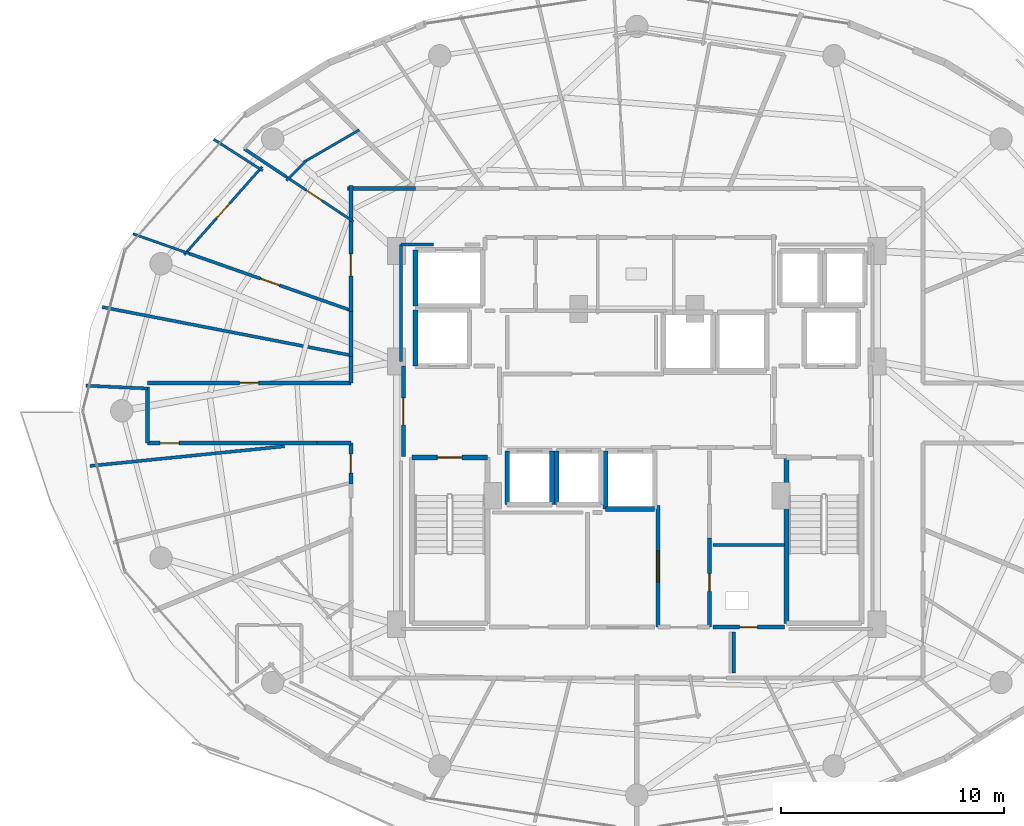
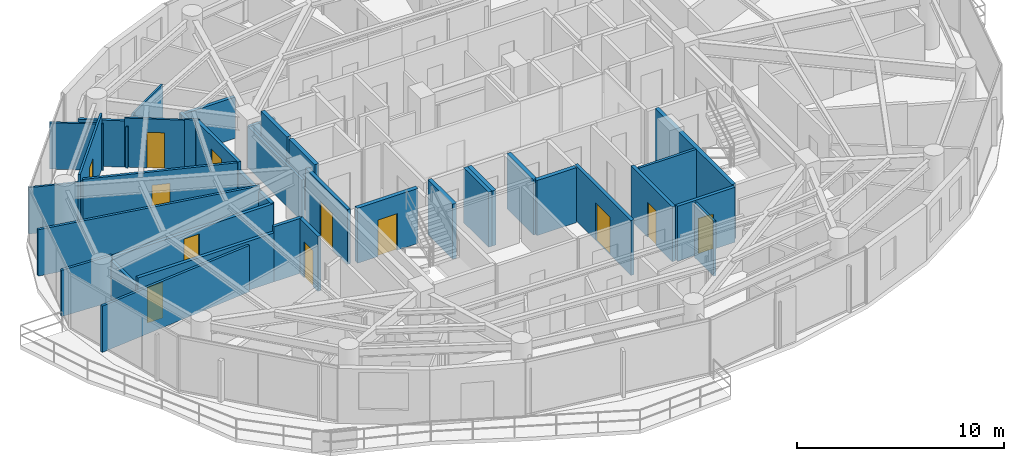
# One storey, part 21 of 28: 39 walls, 12 doors, 12 openings.
"""IFC4 building model written with IfcOpenShell, lengths in metres."""

from ifc_helpers import new_model, si_unit, direction, frame, frame_2d, origin, place, context, subcontext, project, spatial, rectangle, extrude, material, layer, layer_set, type_object, element, fill, save


model = new_model("IFC4")

# Units and contexts
model_context = context("Model", 3, precision=1e-05, world=origin(), true_north=direction((0.0, 1.0)))
body_context = subcontext(model_context, "Body", "Model", "MODEL_VIEW")
ifc_project = project(units=[si_unit("LENGTHUNIT", "METRE"), si_unit("AREAUNIT", "SQUARE_METRE"), si_unit("VOLUMEUNIT", "CUBIC_METRE"), si_unit("PLANEANGLEUNIT", "RADIAN"), si_unit("MASSUNIT", "GRAM", prefix="KILO")], contexts=[model_context])

# Site, building, storey
site_placement = place(None, origin())
site = spatial("IfcSite", under=ifc_project, at=site_placement, CompositionType="ELEMENT")
building_placement = place(site_placement, origin())
building = spatial("IfcBuilding", under=site, at=building_placement, Name="Vorneva Point Tower", CompositionType="ELEMENT")
storey_placement = place(building_placement, frame((0.0, 0.0, 164.10009765625)))
storey = spatial("IfcBuildingStorey", under=building, at=storey_placement, Name="L44", CompositionType="ELEMENT", Elevation=164.10009765625)

# Wall
ifc_material_1 = material(Name="Concrete B60 (C50/60)", Category="concrete")
ifc_layer_1 = layer(ifc_material_1, 0.5)
ifc_layer_set_1 = layer_set([ifc_layer_1], Name="Concrete B60 (C50/60)")
wall_type_1 = type_object("IfcWallType", Name="WL-CORE-500", PredefinedType="SHEAR", material=ifc_layer_set_1)
wall_1_placement = place(storey_placement, frame((28.10009765625, 30.5, 0.0), z_axis=(0.0, 0.0, 1.0), x_axis=(0.0, -1.0, 0.0)))
element("IfcWall", 1, at=wall_1_placement, inside=storey, type_object=wall_type_1, Name="L44 Lift FFL1 Shaft Wall -X", PredefinedType="SHEAR", context=body_context, shape_type="SweptSolid", body=[
    extrude(rectangle(XDim=2.5, YDim=0.219970703125, at=frame_2d((1.25, 0.0))), origin(), (0.0, 0.0, 1.0), 3.239990234375),
])

# Wall, opening, door
ifc_material_2 = material(Name="Fire-rated acoustic gypsum stud partition", Category="gypsum")
ifc_layer_2 = layer(ifc_material_2, 0.110107421875)
ifc_layer_set_2 = layer_set([ifc_layer_2], Name="Fire-rated acoustic gypsum stud partition")
wall_type_2 = type_object("IfcWallType", Name="WL-PART-110", PredefinedType="PARTITIONING", material=ifc_layer_set_2)
wall_2_placement = place(storey_placement, frame((24.789794921875, 34.814697265625, 0.0), z_axis=(0.0, 0.0, 1.0), x_axis=(-0.831749793219, 0.555150683581, 0.0)))
wall_2 = element("IfcWall", 2, at=wall_2_placement, inside=storey, type_object=wall_type_2, Name="L44 Interior Partition 082", PredefinedType="PARTITIONING", context=body_context, shape_type="SweptSolid", body=[
    extrude(rectangle(XDim=3.0009765625, YDim=0.110107421875, at=frame_2d((1.50048828125, 0.0))), origin(), (0.0, 0.0, 1.0), 2.885986328125),
])
opening_1_placement = place(wall_2_placement, frame((1.068115234375, 0.0, 0.0)))
opening_1 = element("IfcOpeningElement", 3, at=opening_1_placement, cuts=wall_2, Name="Opening ID-02", PredefinedType="OPENING", context=body_context, shape_type="SweptSolid", body=[
    extrude(rectangle(XDim=0.85009765625, YDim=2.10009765625, at=frame_2d((0.425048828125, 1.050048828125))), frame((0.0, 0.06982421875, 0.0), z_axis=(0.0, -1.0, 0.0), x_axis=(1.0, 0.0, 0.0)), (0.0, 0.0, 1.0), 0.139892578125),
])
ifc_material_3 = material(Name="Engineered oak fire-rated door leaf", Category="wood")
door_type_1 = type_object("IfcDoorType", Name="DR-BATH-850", OperationType="NOTDEFINED", PredefinedType="DOOR", material=ifc_material_3)
door_1_placement = place(opening_1_placement, origin())
door_1 = element("IfcDoor", 4, at=door_1_placement, inside=storey, type_object=door_type_1, Name="L44 Door Living and Dining Room L44-02 / Bathroom L44-02", OperationType="SINGLE_SWING_LEFT", OverallHeight=2.10009765625, OverallWidth=0.85009765625, PredefinedType="DOOR", context=body_context, shape_type="SweptSolid", body=[
    extrude(rectangle(XDim=0.85009765625, YDim=2.10009765625, at=frame_2d((0.425048828125, 1.050048828125))), frame((0.0, 0.02490234375, 0.0), z_axis=(0.0, -1.0, 0.0), x_axis=(1.0, 0.0, 0.0)), (0.0, 0.0, 1.0), 0.050048828125),
])
fill(opening_1, door_1)

# Walls
wall_3_placement = place(storey_placement, frame((25.31640625, 34.46337890625, 0.0), z_axis=(0.0, 0.0, 1.0), x_axis=(-0.83179740502, 0.555079342979, 0.0)))
element("IfcWall", 5, at=wall_3_placement, inside=storey, type_object=wall_type_2, Name="L44 Interior Partition 083", PredefinedType="PARTITIONING", context=body_context, shape_type="SweptSolid", body=[
    extrude(rectangle(XDim=0.742919921875, YDim=0.110107421875, at=frame_2d((0.37158203125, 0.0))), origin(), (0.0, 0.0, 1.0), 2.928955078125),
])
wall_4_placement = place(storey_placement, frame((19.064208984375, 38.150634765625, 0.0), z_axis=(0.0, 0.0, 1.0), x_axis=(0.841644233319, -0.540032392104, 0.0)))
element("IfcWall", 6, at=wall_4_placement, inside=storey, type_object=wall_type_2, Name="L44 Interior Partition 084", PredefinedType="PARTITIONING", context=body_context, shape_type="SweptSolid", body=[
    extrude(rectangle(XDim=2.60400390625, YDim=0.110107421875, at=frame_2d((1.302001953125, 0.0))), origin(), (0.0, 0.0, 1.0), 2.727783203125),
])

# Wall, opening, door
wall_5_placement = place(storey_placement, frame((21.230712890625, 36.9248046875, 0.0), z_axis=(0.0, 0.0, 1.0), x_axis=(-0.662281895209, -0.749254757261, 0.0)))
wall_5 = element("IfcWall", 7, at=wall_5_placement, inside=storey, type_object=wall_type_2, Name="L44 Interior Partition 085", PredefinedType="PARTITIONING", context=body_context, shape_type="SweptSolid", body=[
    extrude(rectangle(XDim=5.268798828125, YDim=0.110107421875, at=frame_2d((2.63427734375, 0.0))), origin(), (0.0, 0.0, 1.0), 3.239990234375),
])
opening_2_placement = place(wall_5_placement, frame((2.184326171875, 0.0, 0.0)))
opening_2 = element("IfcOpeningElement", 8, at=opening_2_placement, cuts=wall_5, Name="Opening ID-01", PredefinedType="OPENING", context=body_context, shape_type="SweptSolid", body=[
    extrude(rectangle(XDim=0.89990234375, YDim=2.10009765625, at=frame_2d((0.449951171875, 1.050048828125))), frame((0.0, 0.06982421875, 0.0), z_axis=(0.0, -1.0, 0.0), x_axis=(1.0, 0.0, 0.0)), (0.0, 0.0, 1.0), 0.139892578125),
])
door_type_2 = type_object("IfcDoorType", Name="DR-ROOM-900", OperationType="NOTDEFINED", PredefinedType="DOOR", material=ifc_material_3)
door_2_placement = place(opening_2_placement, origin())
door_2 = element("IfcDoor", 9, at=door_2_placement, inside=storey, type_object=door_type_2, Name="L44 Door Living and Dining Room L44-02 / Kitchen L44-02", OperationType="SINGLE_SWING_RIGHT", OverallHeight=2.10009765625, OverallWidth=0.89990234375, PredefinedType="DOOR", context=body_context, shape_type="SweptSolid", body=[
    extrude(rectangle(XDim=0.89990234375, YDim=2.10009765625, at=frame_2d((0.449951171875, 1.050048828125))), frame((0.0, 0.02490234375, 0.0), z_axis=(0.0, -1.0, 0.0), x_axis=(1.0, 0.0, 0.0)), (0.0, 0.0, 1.0), 0.050048828125),
])
fill(opening_2, door_2)

# Walls
wall_6_placement = place(storey_placement, frame((17.966064453125, 33.03564453125, 0.0), z_axis=(0.0, 0.0, 1.0), x_axis=(-0.943523626292, 0.331305246909, 0.0)))
element("IfcWall", 10, at=wall_6_placement, inside=storey, type_object=wall_type_2, Name="L44 Interior Partition 086", PredefinedType="PARTITIONING", context=body_context, shape_type="SweptSolid", body=[
    extrude(rectangle(XDim=2.66455078125, YDim=0.110107421875, at=frame_2d((1.332275390625, 0.0))), origin(), (0.0, 0.0, 1.0), 2.727783203125),
])
wall_7_placement = place(storey_placement, frame((25.5791015625, 38.572265625, 0.0), z_axis=(0.0, 0.0, 1.0), x_axis=(-0.864754420197, -0.502194974835, 0.0)))
element("IfcWall", 11, at=wall_7_placement, inside=storey, type_object=wall_type_2, Name="L44 Interior Partition 091", PredefinedType="PARTITIONING", context=body_context, shape_type="SweptSolid", body=[
    extrude(rectangle(XDim=2.87255859375, YDim=0.110107421875, at=frame_2d((1.436279296875, 0.0))), origin(), (0.0, 0.0, 1.0), 2.431884765625),
])
wall_8_placement = place(storey_placement, frame((23.212646484375, 37.19677734375, 0.0), z_axis=(0.0, 0.0, 1.0), x_axis=(-0.711040657556, -0.703150896538, 0.0)))
element("IfcWall", 12, at=wall_8_placement, inside=storey, type_object=wall_type_2, Name="L44 Interior Partition 092", PredefinedType="PARTITIONING", context=body_context, shape_type="SweptSolid", body=[
    extrude(rectangle(XDim=1.268798828125, YDim=0.110107421875, at=frame_2d((0.63427734375, 0.0))), origin(), (0.0, 0.0, 1.0), 2.431884765625),
])
ifc_layer_3 = layer(ifc_material_2, 0.139892578125)
ifc_layer_set_3 = layer_set([ifc_layer_3], Name="Fire-rated acoustic gypsum stud partition")
wall_type_3 = type_object("IfcWallType", Name="WL-PART-140", PredefinedType="PARTITIONING", material=ifc_layer_set_3)
wall_9_placement = place(storey_placement, frame((44.60009765625, 20.0, 0.0), z_axis=(0.0, 0.0, 1.0), x_axis=(-1.0, 0.0, 0.0)))
element("IfcWall", 13, at=wall_9_placement, inside=storey, type_object=wall_type_3, Name="L44 Interior Partition 017", PredefinedType="PARTITIONING", context=body_context, shape_type="SweptSolid", body=[
    extrude(rectangle(XDim=3.2001953125, YDim=0.139892578125, at=frame_2d((1.60009765625, 0.0))), origin(), (0.0, 0.0, 1.0), 3.239990234375),
])
wall_10_placement = place(storey_placement, frame((22.293701171875, 36.480712890625, 0.0), z_axis=(0.0, 0.0, 1.0), x_axis=(-0.831732018696, 0.555177313186, 0.0)))
element("IfcWall", 14, at=wall_10_placement, inside=storey, type_object=wall_type_3, Name="L44 Interior Partition 087", PredefinedType="PARTITIONING", context=body_context, shape_type="SweptSolid", body=[
    extrude(rectangle(XDim=2.2431640625, YDim=0.139892578125, at=frame_2d((1.12158203125, 0.0))), origin(), (0.0, 0.0, 1.0), 2.727783203125),
])

# Wall, opening, door
wall_11_placement = place(storey_placement, frame((17.966064453125, 33.035400390625, 0.0), z_axis=(0.0, 0.0, 1.0), x_axis=(0.943515303593, -0.331328948157, 0.0)))
wall_11 = element("IfcWall", 15, at=wall_11_placement, inside=storey, type_object=wall_type_3, Name="L44 Interior Partition 090", PredefinedType="PARTITIONING", context=body_context, shape_type="SweptSolid", body=[
    extrude(rectangle(XDim=7.6669921875, YDim=0.139892578125, at=frame_2d((3.83349609375, 0.0))), origin(), (0.0, 0.0, 1.0), 2.885986328125),
])
opening_3_placement = place(wall_11_placement, frame((3.383544921875, 0.0, 0.0)))
opening_3 = element("IfcOpeningElement", 16, at=opening_3_placement, cuts=wall_11, Name="Opening ID-01", PredefinedType="OPENING", context=body_context, shape_type="SweptSolid", body=[
    extrude(rectangle(XDim=0.89990234375, YDim=2.10009765625, at=frame_2d((0.449951171875, 1.050048828125))), frame((0.0, 0.0849609375, 0.0), z_axis=(0.0, -1.0, 0.0), x_axis=(1.0, 0.0, 0.0)), (0.0, 0.0, 1.0), 0.169677734375),
])
door_3_placement = place(opening_3_placement, origin())
door_3 = element("IfcDoor", 17, at=door_3_placement, inside=storey, type_object=door_type_2, Name="L44 Door Living and Dining Room L44-02 / Master Bedroom L44-02.1", OperationType="SINGLE_SWING_RIGHT", OverallHeight=2.10009765625, OverallWidth=0.89990234375, PredefinedType="DOOR", context=body_context, shape_type="SweptSolid", body=[
    extrude(rectangle(XDim=0.89990234375, YDim=2.10009765625, at=frame_2d((0.449951171875, 1.050048828125))), frame((0.0, 0.02490234375, 0.0), z_axis=(0.0, -1.0, 0.0), x_axis=(1.0, 0.0, 0.0)), (0.0, 0.0, 1.0), 0.050048828125),
])
fill(opening_3, door_3)

# Walls
wall_12_placement = place(storey_placement, frame((14.073974609375, 30.64208984375, 0.0), z_axis=(0.0, 0.0, 1.0), x_axis=(0.981684833641, -0.190512171261, 0.0)))
element("IfcWall", 18, at=wall_12_placement, inside=storey, type_object=wall_type_3, Name="L44 Interior Partition 093", PredefinedType="PARTITIONING", context=body_context, shape_type="SweptSolid", body=[
    extrude(rectangle(XDim=11.33349609375, YDim=0.139892578125, at=frame_2d((5.666748046875, 0.0))), origin(), (0.0, 0.0, 1.0), 2.727783203125),
])
wall_13_placement = place(storey_placement, frame((13.346923828125, 27.1240234375, 0.0), z_axis=(0.0, 0.0, 1.0), x_axis=(0.998954796292, -0.045709024997, 0.0)))
element("IfcWall", 19, at=wall_13_placement, inside=storey, type_object=wall_type_3, Name="L44 Interior Partition 094", PredefinedType="PARTITIONING", context=body_context, shape_type="SweptSolid", body=[
    extrude(rectangle(XDim=2.756103515625, YDim=0.139892578125, at=frame_2d((1.3779296875, 0.0))), origin(), (0.0, 0.0, 1.0), 2.727783203125),
])
wall_14_placement = place(storey_placement, frame((13.52197265625, 23.531005859375, 0.0), z_axis=(0.0, 0.0, 1.0), x_axis=(0.994953222339, 0.100339849299, 0.0)))
element("IfcWall", 20, at=wall_14_placement, inside=storey, type_object=wall_type_3, Name="L44 Interior Partition 095", PredefinedType="PARTITIONING", context=body_context, shape_type="SweptSolid", body=[
    extrude(rectangle(XDim=8.75927734375, YDim=0.139892578125, at=frame_2d((4.379638671875, 0.0))), origin(), (0.0, 0.0, 1.0), 2.727783203125),
])
wall_15_placement = place(storey_placement, frame((28.89404296875, 33.449951171875, 0.0), z_axis=(0.0, 0.0, 1.0), x_axis=(-1.0, 0.0, 0.0)))
element("IfcWall", 21, at=wall_15_placement, inside=storey, type_object=wall_type_3, Name="L44 Interior Closure Partition 140", PredefinedType="PARTITIONING", context=body_context, shape_type="SweptSolid", body=[
    extrude(rectangle(XDim=1.444091796875, YDim=0.139892578125, at=frame_2d((0.72216796875, 0.0))), origin(), (0.0, 0.0, 1.0), 2.431884765625),
])
wall_16_placement = place(storey_placement, frame((27.449951171875, 33.449951171875, 0.0), z_axis=(0.0, 0.0, 1.0), x_axis=(0.0, -1.0, 0.0)))
element("IfcWall", 22, at=wall_16_placement, inside=storey, type_object=wall_type_3, Name="L44 Interior Closure Partition 141", PredefinedType="PARTITIONING", context=body_context, shape_type="SweptSolid", body=[
    extrude(rectangle(XDim=5.25390625, YDim=0.139892578125, at=frame_2d((2.626953125, 0.0))), origin(), (0.0, 0.0, 1.0), 2.431884765625),
])
wall_17_placement = place(storey_placement, frame((42.340087890625, 14.27001953125, 0.0), z_axis=(0.0, 0.0, 1.0), x_axis=(0.0, 1.0, 0.0)))
element("IfcWall", 23, at=wall_17_placement, inside=storey, type_object=wall_type_3, Name="L44 Interior Closure Partition 145", PredefinedType="PARTITIONING", context=body_context, shape_type="SweptSolid", body=[
    extrude(rectangle(XDim=1.830078125, YDim=0.139892578125, at=frame_2d((0.9150390625, 0.0))), origin(), (0.0, 0.0, 1.0), 3.239990234375),
])

# Wall, opening, door
ifc_material_4 = material(Name="Autoclaved aerated concrete blockwork", Category="masonry")
ifc_layer_4 = layer(ifc_material_4, 0.179931640625)
ifc_layer_set_4 = layer_set([ifc_layer_4], Name="Autoclaved aerated concrete blockwork")
wall_type_4 = type_object("IfcWallType", Name="WL-PART-180", PredefinedType="PARTITIONING", material=ifc_layer_set_4)
wall_18_placement = place(storey_placement, frame((27.550048828125, 28.0, 0.0), z_axis=(0.0, 0.0, 1.0), x_axis=(0.0, -1.0, 0.0)))
wall_18 = element("IfcWall", 24, at=wall_18_placement, inside=storey, type_object=wall_type_4, Name="L44 Interior Partition 002", PredefinedType="PARTITIONING", context=body_context, shape_type="SweptSolid", body=[
    extrude(rectangle(XDim=4.050048828125, YDim=0.179931640625, at=frame_2d((2.02490234375, 0.0))), origin(), (0.0, 0.0, 1.0), 3.239990234375),
])
opening_4_placement = place(wall_18_placement, frame((1.425048828125, 0.0, 0.0)))
opening_4 = element("IfcOpeningElement", 25, at=opening_4_placement, cuts=wall_18, Name="Opening FD-02", PredefinedType="OPENING", context=body_context, shape_type="SweptSolid", body=[
    extrude(rectangle(XDim=1.199951171875, YDim=2.14990234375, at=frame_2d((0.60009765625, 1.074951171875))), frame((0.0, 0.10498046875, 0.0), z_axis=(0.0, -1.0, 0.0), x_axis=(1.0, 0.0, 0.0)), (0.0, 0.0, 1.0), 0.209716796875),
])
ifc_material_5 = material(Name="Fire-rated powder-coated steel", Category="steel")
door_type_3 = type_object("IfcDoorType", Name="DR-FFL-1200", OperationType="NOTDEFINED", PredefinedType="DOOR", material=ifc_material_5)
door_4_placement = place(opening_4_placement, origin())
door_4 = element("IfcDoor", 26, at=door_4_placement, inside=storey, type_object=door_type_3, Name="L44 Door West Firefighting Lobby / L44 Circulation Corridor", OperationType="SINGLE_SWING_RIGHT", OverallHeight=2.14990234375, OverallWidth=1.199951171875, PredefinedType="DOOR", context=body_context, shape_type="SweptSolid", body=[
    extrude(rectangle(XDim=1.199951171875, YDim=2.14990234375, at=frame_2d((0.60009765625, 1.074951171875))), frame((0.0, 0.02490234375, 0.0), z_axis=(0.0, -1.0, 0.0), x_axis=(1.0, 0.0, 0.0)), (0.0, 0.0, 1.0), 0.050048828125),
])
fill(opening_4, door_4)

wall_19_placement = place(storey_placement, frame((41.25, 16.320068359375, 0.0), z_axis=(0.0, 0.0, 1.0), x_axis=(0.0, 1.0, 0.0)))
wall_19 = element("IfcWall", 27, at=wall_19_placement, inside=storey, type_object=wall_type_4, Name="L44 Interior Partition 013", PredefinedType="PARTITIONING", context=body_context, shape_type="SweptSolid", body=[
    extrude(rectangle(XDim=3.98486328125, YDim=0.179931640625, at=frame_2d((1.992431640625, 0.0))), origin(), (0.0, 0.0, 1.0), 3.239990234375),
])
opening_5_placement = place(wall_19_placement, frame((1.592529296875, 0.0, 0.0)))
opening_5 = element("IfcOpeningElement", 28, at=opening_5_placement, cuts=wall_19, Name="Opening RD-01", PredefinedType="OPENING", context=body_context, shape_type="SweptSolid", body=[
    extrude(rectangle(XDim=0.800048828125, YDim=2.050048828125, at=frame_2d((0.39990234375, 1.02490234375))), frame((0.0, 0.10498046875, 0.0), z_axis=(0.0, -1.0, 0.0), x_axis=(1.0, 0.0, 0.0)), (0.0, 0.0, 1.0), 0.209716796875),
])
door_type_4 = type_object("IfcDoorType", Name="DR-RSR-800", OperationType="SINGLE_SWING_LEFT", PredefinedType="DOOR", material=ifc_material_5)
door_5_placement = place(opening_5_placement, origin())
door_5 = element("IfcDoor", 29, at=door_5_placement, inside=storey, type_object=door_type_4, Name="L44 Door Core Service Lobby / Electrical Riser", OperationType="SINGLE_SWING_LEFT", OverallHeight=2.050048828125, OverallWidth=0.800048828125, PredefinedType="DOOR", context=body_context, shape_type="SweptSolid", body=[
    extrude(rectangle(XDim=0.800048828125, YDim=2.050048828125, at=frame_2d((0.39990234375, 1.02490234375))), frame((0.0, 0.02490234375, 0.0), z_axis=(0.0, -1.0, 0.0), x_axis=(1.0, 0.0, 0.0)), (0.0, 0.0, 1.0), 0.050048828125),
])
fill(opening_5, door_5)

wall_20_placement = place(storey_placement, frame((38.949951171875, 21.7548828125, 0.0), z_axis=(0.0, 0.0, 1.0), x_axis=(0.0, -1.0, 0.0)))
wall_20 = element("IfcWall", 30, at=wall_20_placement, inside=storey, type_object=wall_type_4, Name="L44 Interior Partition 015", PredefinedType="PARTITIONING", context=body_context, shape_type="SweptSolid", body=[
    extrude(rectangle(XDim=5.434814453125, YDim=0.179931640625, at=frame_2d((2.71728515625, 0.0))), origin(), (0.0, 0.0, 1.0), 3.239990234375),
])
opening_6_placement = place(wall_20_placement, frame((2.017578125, 0.0, 0.0)))
opening_6 = element("IfcOpeningElement", 31, at=opening_6_placement, cuts=wall_20, Name="Opening FD-03", PredefinedType="OPENING", context=body_context, shape_type="SweptSolid", body=[
    extrude(rectangle(XDim=1.39990234375, YDim=2.199951171875, at=frame_2d((0.699951171875, 1.10009765625))), frame((0.0, 0.10498046875, 0.0), z_axis=(0.0, -1.0, 0.0), x_axis=(1.0, 0.0, 0.0)), (0.0, 0.0, 1.0), 0.209716796875),
])
door_type_5 = type_object("IfcDoorType", Name="DR-PLT-1400", OperationType="DOUBLE_SWING_LEFT", PredefinedType="DOOR", material=ifc_material_5)
door_6_placement = place(opening_6_placement, origin())
door_6 = element("IfcDoor", 32, at=door_6_placement, inside=storey, type_object=door_type_5, Name="L44 Door Core Service Lobby / Telecoms and Data Room", OperationType="DOUBLE_SWING_LEFT", OverallHeight=2.199951171875, OverallWidth=1.39990234375, PredefinedType="DOOR", context=body_context, shape_type="SweptSolid", body=[
    extrude(rectangle(XDim=1.39990234375, YDim=2.199951171875, at=frame_2d((0.699951171875, 1.10009765625))), frame((0.0, 0.02490234375, 0.0), z_axis=(0.0, -1.0, 0.0), x_axis=(1.0, 0.0, 0.0)), (0.0, 0.0, 1.0), 0.050048828125),
])
fill(opening_6, door_6)

wall_21_placement = place(storey_placement, frame((41.39990234375, 16.320068359375, 0.0), z_axis=(0.0, 0.0, 1.0), x_axis=(1.0, 0.0, 0.0)))
wall_21 = element("IfcWall", 33, at=wall_21_placement, inside=storey, type_object=wall_type_4, Name="L44 Interior Partition 018", PredefinedType="PARTITIONING", context=body_context, shape_type="SweptSolid", body=[
    extrude(rectangle(XDim=3.2001953125, YDim=0.179931640625, at=frame_2d((1.60009765625, 0.0))), origin(), (0.0, 0.0, 1.0), 3.239990234375),
])
opening_7_placement = place(wall_21_placement, frame((1.199951171875, 0.0, 0.0)))
opening_7 = element("IfcOpeningElement", 34, at=opening_7_placement, cuts=wall_21, Name="Opening RD-01", PredefinedType="OPENING", context=body_context, shape_type="SweptSolid", body=[
    extrude(rectangle(XDim=0.800048828125, YDim=2.050048828125, at=frame_2d((0.39990234375, 1.02490234375))), frame((0.0, 0.10498046875, 0.0), z_axis=(0.0, -1.0, 0.0), x_axis=(1.0, 0.0, 0.0)), (0.0, 0.0, 1.0), 0.209716796875),
])
door_7_placement = place(opening_7_placement, origin())
door_7 = element("IfcDoor", 35, at=door_7_placement, inside=storey, type_object=door_type_4, Name="L44 Door Electrical Riser / L44 Circulation Corridor", OperationType="SINGLE_SWING_LEFT", OverallHeight=2.050048828125, OverallWidth=0.800048828125, PredefinedType="DOOR", context=body_context, shape_type="SweptSolid", body=[
    extrude(rectangle(XDim=0.800048828125, YDim=2.050048828125, at=frame_2d((0.39990234375, 1.02490234375))), frame((0.0, 0.02490234375, 0.0), z_axis=(0.0, -1.0, 0.0), x_axis=(1.0, 0.0, 0.0)), (0.0, 0.0, 1.0), 0.050048828125),
])
fill(opening_7, door_7)

wall_22_placement = place(storey_placement, frame((25.199951171875, 34.613037109375, 0.0), z_axis=(0.0, 0.0, 1.0), x_axis=(0.0, -1.0, 0.0)))
wall_22 = element("IfcWall", 36, at=wall_22_placement, inside=storey, type_object=wall_type_4, Name="L44 Interior Partition 036", PredefinedType="PARTITIONING", context=body_context, shape_type="SweptSolid", body=[
    extrude(rectangle(XDim=4.177978515625, YDim=0.179931640625, at=frame_2d((2.0888671875, 0.0))), origin(), (0.0, 0.0, 1.0), 2.928955078125),
])
opening_8_placement = place(wall_22_placement, frame((1.589111328125, 0.0, 0.0)))
opening_8 = element("IfcOpeningElement", 37, at=opening_8_placement, cuts=wall_22, Name="Opening UD-01", PredefinedType="OPENING", context=body_context, shape_type="SweptSolid", body=[
    extrude(rectangle(XDim=1.0, YDim=2.14990234375, at=frame_2d((0.5, 1.074951171875))), frame((0.0, 0.10498046875, 0.0), z_axis=(0.0, -1.0, 0.0), x_axis=(1.0, 0.0, 0.0)), (0.0, 0.0, 1.0), 0.209716796875),
])
door_type_6 = type_object("IfcDoorType", Name="DR-UNIT-1000", OperationType="NOTDEFINED", PredefinedType="DOOR", material=ifc_material_3)
door_8_placement = place(opening_8_placement, origin())
door_8 = element("IfcDoor", 38, at=door_8_placement, inside=storey, type_object=door_type_6, Name="L44 Door L44 Circulation Corridor / Living and Dining Room L44-02", OperationType="SINGLE_SWING_RIGHT", OverallHeight=2.14990234375, OverallWidth=1.0, PredefinedType="DOOR", context=body_context, shape_type="SweptSolid", body=[
    extrude(rectangle(XDim=1.0, YDim=2.14990234375, at=frame_2d((0.5, 1.074951171875))), frame((0.0, 0.02490234375, 0.0), z_axis=(0.0, -1.0, 0.0), x_axis=(1.0, 0.0, 0.0)), (0.0, 0.0, 1.0), 0.050048828125),
])
fill(opening_8, door_8)

# Walls
wall_23_placement = place(storey_placement, frame((28.10498046875, 35.949951171875, 0.0), z_axis=(0.0, 0.0, 1.0), x_axis=(-1.0, 0.0, 0.0)))
element("IfcWall", 39, at=wall_23_placement, inside=storey, type_object=wall_type_4, Name="L44 Interior Partition 037", PredefinedType="PARTITIONING", context=body_context, shape_type="SweptSolid", body=[
    extrude(rectangle(XDim=3.044921875, YDim=0.179931640625, at=frame_2d((1.5224609375, 0.0))), origin(), (0.0, 0.0, 1.0), 2.431884765625),
])
wall_24_placement = place(storey_placement, frame((25.199951171875, 36.090087890625, 0.0), z_axis=(0.0, 0.0, 1.0), x_axis=(0.0, -1.0, 0.0)))
element("IfcWall", 40, at=wall_24_placement, inside=storey, type_object=wall_type_4, Name="L44 Interior Partition 038", PredefinedType="PARTITIONING", context=body_context, shape_type="SweptSolid", body=[
    extrude(rectangle(XDim=1.6171875, YDim=0.179931640625, at=frame_2d((0.80859375, 0.0))), origin(), (0.0, 0.0, 1.0), 2.431884765625),
])
wall_25_placement = place(storey_placement, frame((25.199951171875, 30.43505859375, 0.0), z_axis=(0.0, 0.0, 1.0), x_axis=(0.0, -1.0, 0.0)))
element("IfcWall", 41, at=wall_25_placement, inside=storey, type_object=wall_type_4, Name="L44 Interior Partition 039", PredefinedType="PARTITIONING", context=body_context, shape_type="SweptSolid", body=[
    extrude(rectangle(XDim=2.011962890625, YDim=0.179931640625, at=frame_2d((1.005859375, 0.0))), origin(), (0.0, 0.0, 1.0), 2.431884765625),
])
wall_26_placement = place(storey_placement, frame((25.199951171875, 28.423095703125, 0.0), z_axis=(0.0, 0.0, 1.0), x_axis=(0.0, -1.0, 0.0)))
element("IfcWall", 42, at=wall_26_placement, inside=storey, type_object=wall_type_4, Name="L44 Interior Partition 040", PredefinedType="PARTITIONING", context=body_context, shape_type="SweptSolid", body=[
    extrude(rectangle(XDim=1.173095703125, YDim=0.179931640625, at=frame_2d((0.58642578125, 0.0))), origin(), (0.0, 0.0, 1.0), 2.431884765625),
])

# Wall, opening, door
wall_27_placement = place(storey_placement, frame((25.199951171875, 27.25, 0.0), z_axis=(0.0, 0.0, 1.0), x_axis=(-1.0, 0.0, 0.0)))
wall_27 = element("IfcWall", 43, at=wall_27_placement, inside=storey, type_object=wall_type_4, Name="L44 Interior Partition 041", PredefinedType="PARTITIONING", context=body_context, shape_type="SweptSolid", body=[
    extrude(rectangle(XDim=9.099853515625, YDim=0.179931640625, at=frame_2d((4.5498046875, 0.0))), origin(), (0.0, 0.0, 1.0), 2.431884765625),
])
opening_9_placement = place(wall_27_placement, frame((4.125, 0.0, 0.0)))
opening_9 = element("IfcOpeningElement", 44, at=opening_9_placement, cuts=wall_27, Name="Opening ID-02", PredefinedType="OPENING", context=body_context, shape_type="SweptSolid", body=[
    extrude(rectangle(XDim=0.85009765625, YDim=2.10009765625, at=frame_2d((0.425048828125, 1.050048828125))), frame((0.0, 0.10498046875, 0.0), z_axis=(0.0, -1.0, 0.0), x_axis=(1.0, 0.0, 0.0)), (0.0, 0.0, 1.0), 0.209716796875),
])
door_9_placement = place(opening_9_placement, origin())
door_9 = element("IfcDoor", 45, at=door_9_placement, inside=storey, type_object=door_type_1, Name="L44 Access Door L44 Circulation Corridor", OperationType="SINGLE_SWING_LEFT", OverallHeight=2.10009765625, OverallWidth=0.85009765625, PredefinedType="DOOR", context=body_context, shape_type="SweptSolid", body=[
    extrude(rectangle(XDim=0.85009765625, YDim=2.10009765625, at=frame_2d((0.425048828125, 1.050048828125))), frame((0.0, 0.02490234375, 0.0), z_axis=(0.0, -1.0, 0.0), x_axis=(1.0, 0.0, 0.0)), (0.0, 0.0, 1.0), 0.050048828125),
])
fill(opening_9, door_9)

# Wall
wall_28_placement = place(storey_placement, frame((16.10009765625, 27.05810546875, 0.0), z_axis=(0.0, 0.0, 1.0), x_axis=(0.0, -1.0, 0.0)))
element("IfcWall", 46, at=wall_28_placement, inside=storey, type_object=wall_type_4, Name="L44 Interior Partition 042", PredefinedType="PARTITIONING", context=body_context, shape_type="SweptSolid", body=[
    extrude(rectangle(XDim=2.508056640625, YDim=0.179931640625, at=frame_2d((1.25390625, 0.0))), origin(), (0.0, 0.0, 1.0), 2.431884765625),
])

# Wall, opening, door
wall_29_placement = place(storey_placement, frame((16.10009765625, 24.550048828125, 0.0), z_axis=(0.0, 0.0, 1.0), x_axis=(1.0, 0.0, 0.0)))
wall_29 = element("IfcWall", 47, at=wall_29_placement, inside=storey, type_object=wall_type_4, Name="L44 Interior Partition 043", PredefinedType="PARTITIONING", context=body_context, shape_type="SweptSolid", body=[
    extrude(rectangle(XDim=7.5849609375, YDim=0.179931640625, at=frame_2d((3.79248046875, 0.0))), origin(), (0.0, 0.0, 1.0), 2.885986328125),
])
opening_10_placement = place(wall_29_placement, frame((0.5673828125, 0.0, 0.0)))
opening_10 = element("IfcOpeningElement", 48, at=opening_10_placement, cuts=wall_29, Name="Opening ID-02", PredefinedType="OPENING", context=body_context, shape_type="SweptSolid", body=[
    extrude(rectangle(XDim=0.85009765625, YDim=2.10009765625, at=frame_2d((0.425048828125, 1.050048828125))), frame((0.0, 0.10498046875, 0.0), z_axis=(0.0, -1.0, 0.0), x_axis=(1.0, 0.0, 0.0)), (0.0, 0.0, 1.0), 0.209716796875),
])
door_10_placement = place(opening_10_placement, origin())
door_10 = element("IfcDoor", 49, at=door_10_placement, inside=storey, type_object=door_type_1, Name="L44 Access Door L44 Circulation Corridor", OperationType="SINGLE_SWING_RIGHT", OverallHeight=2.10009765625, OverallWidth=0.85009765625, PredefinedType="DOOR", context=body_context, shape_type="SweptSolid", body=[
    extrude(rectangle(XDim=0.85009765625, YDim=2.10009765625, at=frame_2d((0.425048828125, 1.050048828125))), frame((0.0, 0.02490234375, 0.0), z_axis=(0.0, -1.0, 0.0), x_axis=(1.0, 0.0, 0.0)), (0.0, 0.0, 1.0), 0.050048828125),
])
fill(opening_10, door_10)

# Wall
wall_30_placement = place(storey_placement, frame((23.68505859375, 24.550048828125, 0.0), z_axis=(0.0, 0.0, 1.0), x_axis=(1.0, 0.0, 0.0)))
element("IfcWall", 50, at=wall_30_placement, inside=storey, type_object=wall_type_4, Name="L44 Interior Partition 044", PredefinedType="PARTITIONING", context=body_context, shape_type="SweptSolid", body=[
    extrude(rectangle(XDim=1.514892578125, YDim=0.179931640625, at=frame_2d((0.75732421875, 0.0))), origin(), (0.0, 0.0, 1.0), 3.239990234375),
])

# Wall, opening, door
wall_31_placement = place(storey_placement, frame((25.199951171875, 24.550048828125, 0.0), z_axis=(0.0, 0.0, 1.0), x_axis=(0.0, -1.0, 0.0)))
wall_31 = element("IfcWall", 51, at=wall_31_placement, inside=storey, type_object=wall_type_4, Name="L44 Interior Partition 045", PredefinedType="PARTITIONING", context=body_context, shape_type="SweptSolid", body=[
    extrude(rectangle(XDim=1.833984375, YDim=0.179931640625, at=frame_2d((0.9169921875, 0.0))), origin(), (0.0, 0.0, 1.0), 3.239990234375),
])
opening_11_placement = place(wall_31_placement, frame((0.491943359375, 0.0, 0.0)))
opening_11 = element("IfcOpeningElement", 52, at=opening_11_placement, cuts=wall_31, Name="Opening ID-02", PredefinedType="OPENING", context=body_context, shape_type="SweptSolid", body=[
    extrude(rectangle(XDim=0.85009765625, YDim=2.10009765625, at=frame_2d((0.425048828125, 1.050048828125))), frame((0.0, 0.10498046875, 0.0), z_axis=(0.0, -1.0, 0.0), x_axis=(1.0, 0.0, 0.0)), (0.0, 0.0, 1.0), 0.209716796875),
])
door_11_placement = place(opening_11_placement, origin())
door_11 = element("IfcDoor", 53, at=door_11_placement, inside=storey, type_object=door_type_1, Name="L44 Access Door L44 Circulation Corridor", OperationType="SINGLE_SWING_LEFT", OverallHeight=2.10009765625, OverallWidth=0.85009765625, PredefinedType="DOOR", context=body_context, shape_type="SweptSolid", body=[
    extrude(rectangle(XDim=0.85009765625, YDim=2.10009765625, at=frame_2d((0.425048828125, 1.050048828125))), frame((0.0, 0.02490234375, 0.0), z_axis=(0.0, -1.0, 0.0), x_axis=(1.0, 0.0, 0.0)), (0.0, 0.0, 1.0), 0.050048828125),
])
fill(opening_11, door_11)

ifc_material_6 = material(Name="Concrete B50 (C40/50)", Category="concrete")
ifc_layer_5 = layer(ifc_material_6, 0.219970703125)
ifc_layer_set_5 = layer_set([ifc_layer_5], Name="Concrete B50 (C40/50)")
wall_type_5 = type_object("IfcWallType", Name="WL-SHFT-220", PredefinedType="SOLIDWALL", material=ifc_layer_set_5)
wall_32_placement = place(storey_placement, frame((27.93994140625, 23.909912109375, 0.0), z_axis=(0.0, 0.0, 1.0), x_axis=(1.0, 0.0, 0.0)))
wall_32 = element("IfcWall", 54, at=wall_32_placement, inside=storey, type_object=wall_type_5, Name="L44 Exit Stair ST1 Shaft Wall near", PredefinedType="SOLIDWALL", context=body_context, shape_type="SweptSolid", body=[
    extrude(rectangle(XDim=3.3701171875, YDim=0.219970703125, at=frame_2d((1.68505859375, 0.0))), origin(), (0.0, 0.0, 1.0), 3.239990234375),
])
opening_12_placement = place(wall_32_placement, frame((1.135009765625, 0.0, 0.0)))
opening_12 = element("IfcOpeningElement", 55, at=opening_12_placement, cuts=wall_32, Name="Opening FD-01", PredefinedType="OPENING", context=body_context, shape_type="SweptSolid", body=[
    extrude(rectangle(XDim=1.10009765625, YDim=2.14990234375, at=frame_2d((0.550048828125, 1.074951171875))), frame((0.0, 0.125, 0.0), z_axis=(0.0, -1.0, 0.0), x_axis=(1.0, 0.0, 0.0)), (0.0, 0.0, 1.0), 0.249755859375),
])
door_type_7 = type_object("IfcDoorType", Name="DR-STAIR-1100", OperationType="NOTDEFINED", PredefinedType="DOOR", material=ifc_material_5)
door_12_placement = place(opening_12_placement, origin())
door_12 = element("IfcDoor", 56, at=door_12_placement, inside=storey, type_object=door_type_7, Name="L44 Exit Stair ST1 Fire Door", OperationType="SINGLE_SWING_RIGHT", OverallHeight=2.14990234375, OverallWidth=1.10009765625, PredefinedType="DOOR", context=body_context, shape_type="SweptSolid", body=[
    extrude(rectangle(XDim=1.10009765625, YDim=2.14990234375, at=frame_2d((0.550048828125, 1.074951171875))), frame((0.0, 0.02490234375, 0.0), z_axis=(0.0, -1.0, 0.0), x_axis=(1.0, 0.0, 0.0)), (0.0, 0.0, 1.0), 0.050048828125),
])
fill(opening_12, door_12)

# Walls
wall_33_placement = place(storey_placement, frame((44.68994140625, 16.489990234375, 0.0), z_axis=(0.0, 0.0, 1.0), x_axis=(0.0, 1.0, 0.0)))
element("IfcWall", 57, at=wall_33_placement, inside=storey, type_object=wall_type_5, Name="L44 Exit Stair ST2 Shaft Wall left", PredefinedType="SOLIDWALL", context=body_context, shape_type="SweptSolid", body=[
    extrude(rectangle(XDim=7.419921875, YDim=0.219970703125, at=frame_2d((3.7099609375, 0.0))), origin(), (0.0, 0.0, 1.0), 3.239990234375),
])
for number, where, z_axis, x_axis, name in (
    (58, (34.199951171875, 21.800048828125, 0.0), (0.0, 0.0, 1.0), (0.0, 1.0, 0.0), "L44 Lift PL4 Shaft Wall +X"),
    (59, (32.199951171875, 24.199951171875, 0.0), (0.0, 0.0, 1.0), (0.0, -1.0, 0.0), "L44 Lift PL4 Shaft Wall -X"),
    (60, (34.39990234375, 24.199951171875, 0.0), (0.0, 0.0, 1.0), (0.0, -1.0, 0.0), "L44 Lift PL5 Shaft Wall -X"),
):
    element("IfcWall", number, at=place(storey_placement, frame(where, z_axis=z_axis, x_axis=x_axis)), inside=storey, type_object=wall_type_5, Name=name, PredefinedType="SOLIDWALL", context=body_context, shape_type="SweptSolid", body=[
        extrude(rectangle(XDim=2.39990234375, YDim=0.219970703125, at=frame_2d((1.199951171875, 0.0))), origin(), (0.0, 0.0, 1.0), 3.239990234375),
    ])
wall_34_placement = place(storey_placement, frame((36.60009765625, 21.60009765625, 0.0), z_axis=(0.0, 0.0, 1.0), x_axis=(1.0, 0.0, 0.0)))
element("IfcWall", 61, at=wall_34_placement, inside=storey, type_object=wall_type_5, Name="L44 Lift PL6 Shaft Wall -Y", PredefinedType="SOLIDWALL", context=body_context, shape_type="SweptSolid", body=[
    extrude(rectangle(XDim=2.199951171875, YDim=0.219970703125, at=frame_2d((1.10009765625, 0.0))), origin(), (0.0, 0.0, 1.0), 3.239990234375),
])
wall_35_placement = place(storey_placement, frame((36.60009765625, 24.199951171875, 0.0), z_axis=(0.0, 0.0, 1.0), x_axis=(0.0, -1.0, 0.0)))
element("IfcWall", 62, at=wall_35_placement, inside=storey, type_object=wall_type_5, Name="L44 Lift PL6 Shaft Wall -X", PredefinedType="SOLIDWALL", context=body_context, shape_type="SweptSolid", body=[
    extrude(rectangle(XDim=2.599853515625, YDim=0.219970703125, at=frame_2d((1.2998046875, 0.0))), origin(), (0.0, 0.0, 1.0), 3.239990234375),
])
wall_36_placement = place(storey_placement, frame((28.10009765625, 33.199951171875, 0.0), z_axis=(0.0, 0.0, 1.0), x_axis=(0.0, -1.0, 0.0)))
element("IfcWall", 63, at=wall_36_placement, inside=storey, type_object=wall_type_5, Name="L44 Lift SVL1 Shaft Wall -X", PredefinedType="SOLIDWALL", context=body_context, shape_type="SweptSolid", body=[
    extrude(rectangle(XDim=2.5, YDim=0.219970703125, at=frame_2d((1.25, 0.0))), origin(), (0.0, 0.0, 1.0), 3.239990234375),
])

save(model, "model.ifc")
